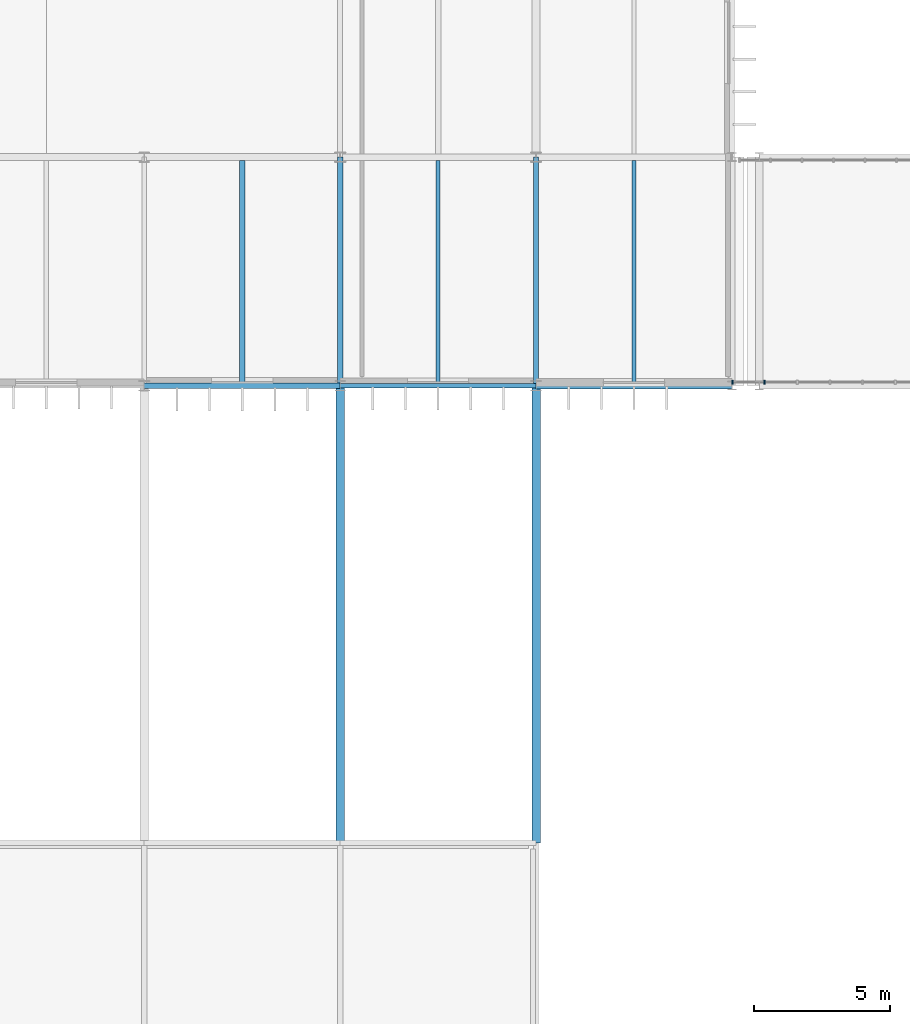
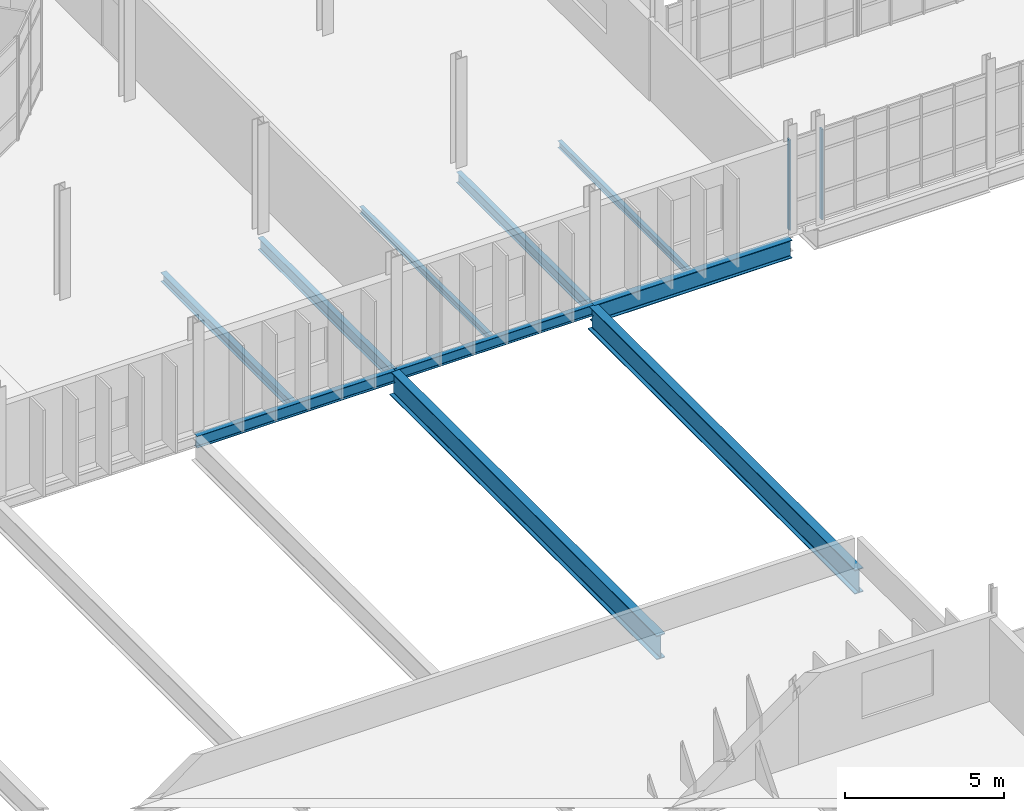
# One storey, part 29 of 119: 10 beams, 2 members, 1 element without a shape of its own.
"""IFC4 building model written with IfcOpenShell, lengths in metres."""

from ifc_helpers import new_model, si_unit, direction, frame, origin, origin_2d, place, context, subcontext, project, spatial, rectangle, i_section, extrude, material, material_profile, profile_set, type_object, element, aggregate, save


model = new_model("IFC4")

# Units and contexts
model_context = context("Model", 3, precision=1e-05, world=origin(), true_north=direction((0.0, 1.0)))
body_context = subcontext(model_context, "Body", "Model", "MODEL_VIEW")
ifc_project = project(units=[si_unit("LENGTHUNIT", "METRE"), si_unit("AREAUNIT", "SQUARE_METRE"), si_unit("VOLUMEUNIT", "CUBIC_METRE"), si_unit("PLANEANGLEUNIT", "RADIAN"), si_unit("MASSUNIT", "GRAM", prefix="KILO")], contexts=[model_context])

# Site, building, storey
site_placement = place(None, origin())
site = spatial("IfcSite", under=ifc_project, at=site_placement, CompositionType="ELEMENT")
building_placement = place(site_placement, origin())
building = spatial("IfcBuilding", under=site, at=building_placement, Name="Qelthora Terrace Specialist Clinic", CompositionType="ELEMENT")
storey_placement = place(building_placement, frame((0.0, 0.0, 4.800048828125)))
storey = spatial("IfcBuildingStorey", under=building, at=storey_placement, Name="L01", CompositionType="ELEMENT", Elevation=4.800048828125)

# Beams
ifc_material_1 = material(Name="Steel S355", Category="steel")
ifc_material_profile_1 = material_profile(ifc_material_1, i_section(OverallWidth=0.178955078125, OverallDepth=0.409912109375, WebThickness=0.0087890625, FlangeThickness=0.014404296875, FilletRadius=0.011962890625, at=origin_2d()), Name="W410X67")
ifc_profile_set_1 = profile_set([ifc_material_profile_1], Name="Steel S355")
beam_type_1 = type_object("IfcBeamType", Name="BM-W410X67", PredefinedType="BEAM", material=ifc_profile_set_1)
beam_1_placement = place(storey_placement, frame((36.0, 58.800048828125, -0.455078125), z_axis=(1.0, 0.0, 0.0), x_axis=(0.0, 1.0, 0.0)))
element("IfcBeam", 1, at=beam_1_placement, inside=storey, type_object=beam_type_1, Name="Girder BMX-L01-0238", PredefinedType="BEAM", context=body_context, shape_type="SweptSolid", body=[
    extrude(i_section(OverallWidth=0.178955078125, OverallDepth=0.409912109375, WebThickness=0.0087890625, FlangeThickness=0.014404296875, FilletRadius=0.011962890625, at=origin_2d()), origin(), (0.0, 0.0, 1.0), 7.199951171875),
])
beam_2_placement = place(storey_placement, frame((43.199951171875, 58.800048828125, -0.455078125), z_axis=(0.0, 1.0, 0.0), x_axis=(-1.0, 0.0, 0.0)))
element("IfcBeam", 2, at=beam_2_placement, inside=storey, type_object=beam_type_1, Name="Girder BMY-L01-0410", PredefinedType="BEAM", context=body_context, shape_type="SweptSolid", body=[
    extrude(i_section(OverallWidth=0.178955078125, OverallDepth=0.409912109375, WebThickness=0.0087890625, FlangeThickness=0.014404296875, FilletRadius=0.011962890625, at=origin_2d()), origin(), (0.0, 0.0, 1.0), 8.39990234375),
])
ifc_material_profile_2 = material_profile(ifc_material_1, i_section(OverallWidth=0.19091796875, OverallDepth=0.4599609375, WebThickness=0.010009765625, FlangeThickness=0.01611328125, FilletRadius=0.012939453125, at=origin_2d()), Name="W460X82")
ifc_profile_set_2 = profile_set([ifc_material_profile_2], Name="Steel S355")
beam_type_2 = type_object("IfcBeamType", Name="BM-W460X82", PredefinedType="BEAM", material=ifc_profile_set_2)
beam_3_placement = place(storey_placement, frame((28.800048828125, 58.800048828125, -0.47998046875), z_axis=(1.0, 0.0, 0.0), x_axis=(0.0, 1.0, 0.0)))
element("IfcBeam", 3, at=beam_3_placement, inside=storey, type_object=beam_type_2, Name="Girder BMX-L01-0237", PredefinedType="BEAM", context=body_context, shape_type="SweptSolid", body=[
    extrude(i_section(OverallWidth=0.19091796875, OverallDepth=0.4599609375, WebThickness=0.010009765625, FlangeThickness=0.01611328125, FilletRadius=0.012939453125, at=origin_2d()), origin(), (0.0, 0.0, 1.0), 7.199951171875),
])
beam_4_placement = place(storey_placement, frame((36.0, 58.800048828125, -0.47998046875), z_axis=(0.0, 1.0, 0.0), x_axis=(-1.0, 0.0, 0.0)))
element("IfcBeam", 4, at=beam_4_placement, inside=storey, type_object=beam_type_2, Name="Girder BMY-L01-0398", PredefinedType="BEAM", context=body_context, shape_type="SweptSolid", body=[
    extrude(i_section(OverallWidth=0.19091796875, OverallDepth=0.4599609375, WebThickness=0.010009765625, FlangeThickness=0.01611328125, FilletRadius=0.012939453125, at=origin_2d()), origin(), (0.0, 0.0, 1.0), 8.39990234375),
])
ifc_material_profile_3 = material_profile(ifc_material_1, i_section(OverallWidth=0.256103515625, OverallDepth=0.693115234375, WebThickness=0.014404296875, FlangeThickness=0.023681640625, FilletRadius=0.01806640625, at=origin_2d()), Name="W690X170")
ifc_profile_set_3 = profile_set([ifc_material_profile_3], Name="Steel S355")
beam_type_3 = type_object("IfcBeamType", Name="BM-W690X170", PredefinedType="BEAM", material=ifc_profile_set_3)
beam_5_placement = place(storey_placement, frame((43.199951171875, 58.800048828125, -0.596435546875), z_axis=(1.0, 0.0, 0.0), x_axis=(0.0, 1.0, 0.0)))
element("IfcBeam", 5, at=beam_5_placement, inside=storey, type_object=beam_type_3, Name="Girder BMX-L01-0239", PredefinedType="BEAM", context=body_context, shape_type="SweptSolid", body=[
    extrude(i_section(OverallWidth=0.256103515625, OverallDepth=0.693115234375, WebThickness=0.014404296875, FlangeThickness=0.023681640625, FilletRadius=0.01806640625, at=origin_2d()), origin(), (0.0, 0.0, 1.0), 7.199951171875),
])
ifc_material_profile_4 = material_profile(ifc_material_1, i_section(OverallWidth=0.30810546875, OverallDepth=0.927001953125, WebThickness=0.019287109375, FlangeThickness=0.031982421875, FilletRadius=0.02197265625, at=origin_2d()), Name="W920X289")
ifc_profile_set_4 = profile_set([ifc_material_profile_4], Name="Steel S355")
beam_type_4 = type_object("IfcBeamType", Name="BM-W920X289", PredefinedType="BEAM", material=ifc_profile_set_4)
for number, where, z_axis, x_axis, name in (
    (6, (36.0, 42.0, -0.713623046875), (0.0, 1.0, 0.0), (-1.0, 0.0, 0.0), "Girder BMY-L01-0397"),
    (7, (43.199951171875, 42.0, -0.713623046875), (0.0, 1.0, 0.0), (-1.0, 0.0, 0.0), "Girder BMY-L01-0409"),
):
    element("IfcBeam", number, at=place(storey_placement, frame(where, z_axis=z_axis, x_axis=x_axis)), inside=storey, type_object=beam_type_4, Name=name, PredefinedType="BEAM", context=body_context, shape_type="SweptSolid", body=[
        extrude(i_section(OverallWidth=0.30810546875, OverallDepth=0.927001953125, WebThickness=0.019287109375, FlangeThickness=0.031982421875, FilletRadius=0.02197265625, at=origin_2d()), origin(), (0.0, 0.0, 1.0), 16.800048828125),
    ])

# Curtain wall, members
ifc_material_2 = material(Name="Aluminium anodized bronze", Category="aluminium")
curtain_wall_type = type_object("IfcCurtainWallType", Name="CW-BRG-L01", PredefinedType="NOTDEFINED", material=ifc_material_2)
curtain_wall_placement = place(storey_placement, origin())
curtain_wall = element("IfcCurtainWall", 8, at=curtain_wall_placement, inside=storey, type_object=curtain_wall_type, Name="Curtain wall CW-L01-228", PredefinedType="NOTDEFINED")
ifc_material_profile_5 = material_profile(ifc_material_2, rectangle(XDim=0.06005859375, YDim=0.14990234375, at=origin_2d()), Name="CWM60X150")
ifc_profile_set_5 = profile_set([ifc_material_profile_5], Name="Aluminium anodized bronze")
member_type = type_object("IfcMemberType", Name="CWM-60X150", PredefinedType="MULLION", material=ifc_profile_set_5)
member_1_placement = place(storey_placement, frame((50.419921875, 58.919921875, 0.0), z_axis=(0.0, 0.0, 1.0), x_axis=(1.0, 0.0, 0.0)))
member_1 = element("IfcMember", 9, at=member_1_placement, type_object=member_type, Name="CW-L01-228 mullion 1", PredefinedType="MULLION", context=body_context, shape_type="SweptSolid", body=[
    extrude(rectangle(XDim=0.06005859375, YDim=0.14990234375, at=origin_2d()), origin(), (0.0, 0.0, 1.0), 3.475830078125),
])
member_2_placement = place(storey_placement, frame((51.60009765625, 58.919921875, 0.0), z_axis=(0.0, 0.0, 1.0), x_axis=(1.0, 0.0, 0.0)))
member_2 = element("IfcMember", 10, at=member_2_placement, type_object=member_type, Name="CW-L01-228 mullion 2", PredefinedType="MULLION", context=body_context, shape_type="SweptSolid", body=[
    extrude(rectangle(XDim=0.06005859375, YDim=0.14990234375, at=origin_2d()), origin(), (0.0, 0.0, 1.0), 3.475830078125),
])
aggregate(curtain_wall, [member_1, member_2])

# Beams
ifc_material_profile_6 = material_profile(ifc_material_1, i_section(OverallWidth=0.14599609375, OverallDepth=0.258056640625, WebThickness=0.006103515625, FlangeThickness=0.009033203125, FilletRadius=0.009033203125, at=origin_2d()), Name="W250X33")
ifc_profile_set_6 = profile_set([ifc_material_profile_6], Name="Steel S355")
beam_type_5 = type_object("IfcBeamType", Name="JST-W250X33", PredefinedType="JOIST", material=ifc_profile_set_6)
beam_6_placement = place(storey_placement, frame((39.60009765625, 58.889404296875, -0.379150390625), z_axis=(0.0, 1.0, 0.0), x_axis=(-1.0, 0.0, 0.0)))
element("IfcBeam", 11, at=beam_6_placement, inside=storey, type_object=beam_type_5, Name="Composite floor joist JST-L01-0078", PredefinedType="JOIST", context=body_context, shape_type="SweptSolid", body=[
    extrude(i_section(OverallWidth=0.14599609375, OverallDepth=0.258056640625, WebThickness=0.006103515625, FlangeThickness=0.009033203125, FilletRadius=0.009033203125, at=origin_2d()), origin(), (0.0, 0.0, 1.0), 8.195556640625),
])
ifc_material_profile_7 = material_profile(ifc_material_1, i_section(OverallWidth=0.14697265625, OverallDepth=0.261962890625, WebThickness=0.006591796875, FlangeThickness=0.01123046875, FilletRadius=0.009033203125, at=origin_2d()), Name="W250X39")
ifc_profile_set_7 = profile_set([ifc_material_profile_7], Name="Steel S355")
beam_type_6 = type_object("IfcBeamType", Name="JST-W250X39", PredefinedType="JOIST", material=ifc_profile_set_7)
beam_7_placement = place(storey_placement, frame((46.800048828125, 58.927978515625, -0.381103515625), z_axis=(0.0, 1.0, 0.0), x_axis=(-1.0, 0.0, 0.0)))
element("IfcBeam", 12, at=beam_7_placement, inside=storey, type_object=beam_type_6, Name="Composite floor joist JST-L01-0083", PredefinedType="JOIST", context=body_context, shape_type="SweptSolid", body=[
    extrude(i_section(OverallWidth=0.14697265625, OverallDepth=0.261962890625, WebThickness=0.006591796875, FlangeThickness=0.01123046875, FilletRadius=0.009033203125, at=origin_2d()), origin(), (0.0, 0.0, 1.0), 8.157470703125),
])
ifc_material_profile_8 = material_profile(ifc_material_1, i_section(OverallWidth=0.202880859375, OverallDepth=0.346923828125, WebThickness=0.0078125, FlangeThickness=0.013427734375, FilletRadius=0.010986328125, at=origin_2d()), Name="W360X64")
ifc_profile_set_8 = profile_set([ifc_material_profile_8], Name="Steel S355")
beam_type_7 = type_object("IfcBeamType", Name="JST-W360X64", PredefinedType="JOIST", material=ifc_profile_set_8)
beam_8_placement = place(storey_placement, frame((32.39990234375, 58.8955078125, -0.423583984375), z_axis=(0.0, 1.0, 0.0), x_axis=(-1.0, 0.0, 0.0)))
element("IfcBeam", 13, at=beam_8_placement, inside=storey, type_object=beam_type_7, Name="Composite floor joist JST-L01-0073", PredefinedType="JOIST", context=body_context, shape_type="SweptSolid", body=[
    extrude(i_section(OverallWidth=0.202880859375, OverallDepth=0.346923828125, WebThickness=0.0078125, FlangeThickness=0.013427734375, FilletRadius=0.010986328125, at=origin_2d()), origin(), (0.0, 0.0, 1.0), 8.177490234375),
])

save(model, "model.ifc")
